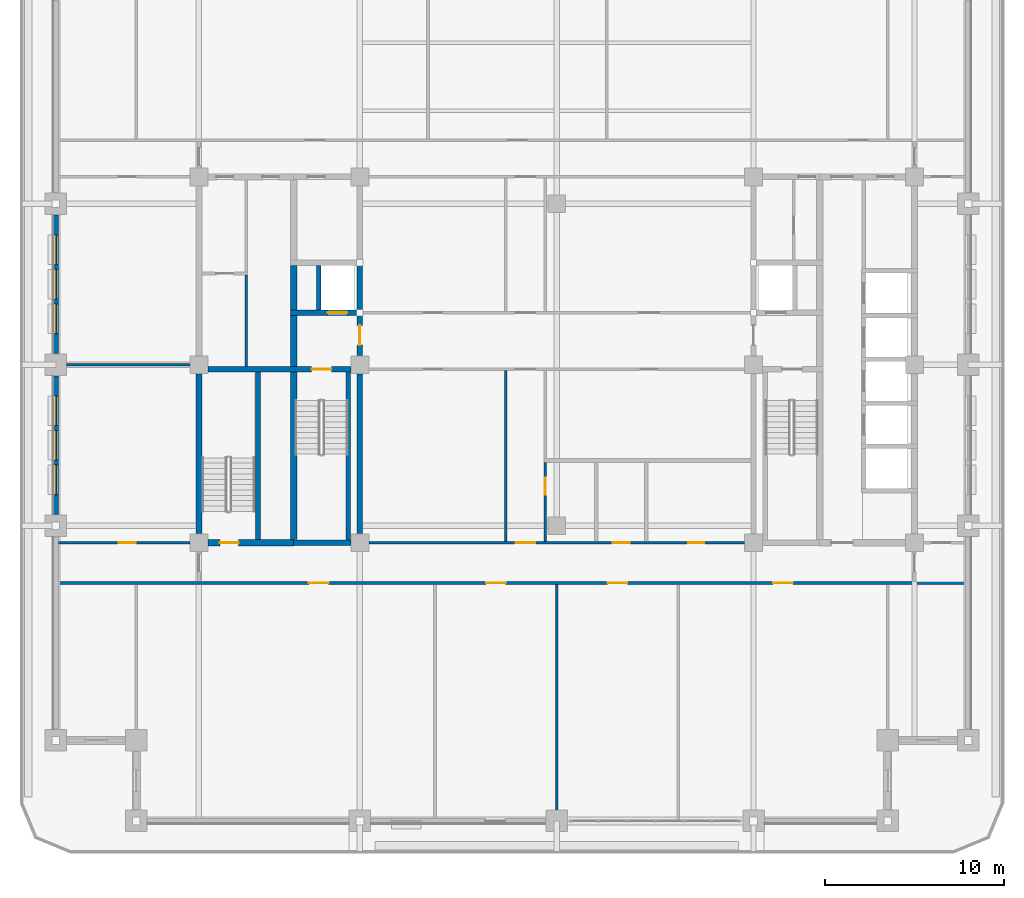
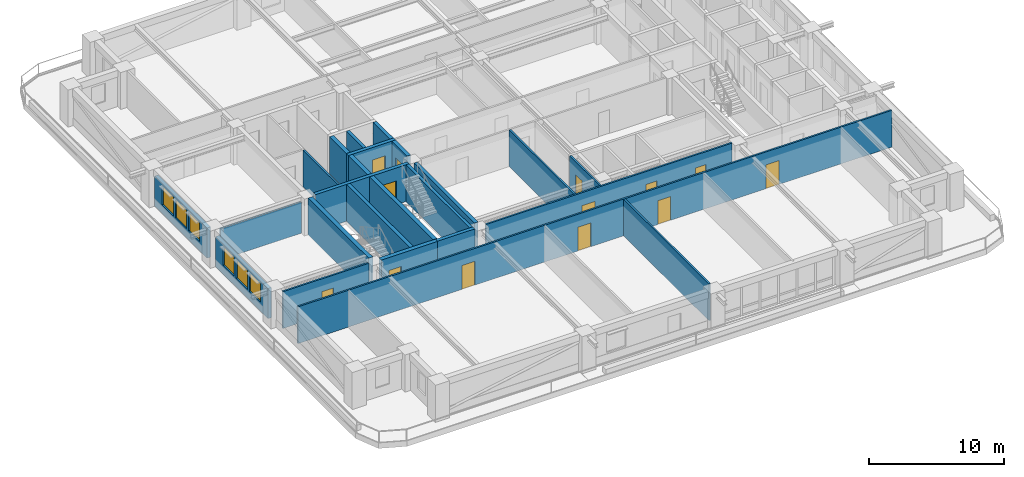
# One storey, part 8 of 20: 24 walls, 13 doors, 6 windows, 19 openings.
"""IFC4 building model written with IfcOpenShell, lengths in metres."""

from ifc_helpers import new_model, si_unit, direction, frame, frame_2d, origin, place, context, subcontext, project, spatial, rectangle, extrude, material, layer, layer_set, type_object, element, fill, save


model = new_model("IFC4")

# Units and contexts
model_context = context("Model", 3, precision=1e-05, world=origin(), true_north=direction((0.0, 1.0)))
body_context = subcontext(model_context, "Body", "Model", "MODEL_VIEW")
ifc_project = project(units=[si_unit("LENGTHUNIT", "METRE"), si_unit("AREAUNIT", "SQUARE_METRE"), si_unit("VOLUMEUNIT", "CUBIC_METRE"), si_unit("PLANEANGLEUNIT", "RADIAN"), si_unit("MASSUNIT", "GRAM", prefix="KILO")], contexts=[model_context])

# Site, building, storey
site_placement = place(None, origin())
site = spatial("IfcSite", under=ifc_project, at=site_placement, CompositionType="ELEMENT")
building_placement = place(site_placement, origin())
building = spatial("IfcBuilding", under=site, at=building_placement, Name="Zulmaris Gate Convention Tower", CompositionType="ELEMENT")
storey_placement = place(building_placement, frame((0.0, 0.0, 142.769775390625)))
storey = spatial("IfcBuildingStorey", under=building, at=storey_placement, Name="L36", CompositionType="ELEMENT", Elevation=142.769775390625)

# Walls
ifc_material_1 = material(Name="Concrete C50/60", Category="concrete")
ifc_layer_1 = layer(ifc_material_1, 0.25, Name="Concrete C50/60")
ifc_layer_set_1 = layer_set([ifc_layer_1], Name="Concrete C50/60")
wall_type_1 = type_object("IfcWallType", Name="CORE-250", PredefinedType="SOLIDWALL", material=ifc_layer_set_1)
wall_1_placement = place(storey_placement, frame((-13.300048828125, 3.052001953125, 0.0), z_axis=(0.0, 0.0, 1.0), x_axis=(0.0, 1.0, 0.0)))
element("IfcWall", 1, at=wall_1_placement, inside=storey, type_object=wall_type_1, Name="WL-L36-041", PredefinedType="SOLIDWALL", context=body_context, shape_type="SweptSolid", body=[
    extrude(rectangle(XDim=2.49609375, YDim=0.25, at=frame_2d((1.248046875, 0.0))), origin(), (0.0, 0.0, 1.0), 3.320068359375),
])
wall_2_placement = place(storey_placement, frame((-11.64990234375, -9.798095703125, 0.0), z_axis=(0.0, 0.0, 1.0), x_axis=(0.0, 1.0, 0.0)))
element("IfcWall", 2, at=wall_2_placement, inside=storey, type_object=wall_type_1, Name="WL-L36-042", PredefinedType="SOLIDWALL", context=body_context, shape_type="SweptSolid", body=[
    extrude(rectangle(XDim=9.39599609375, YDim=0.25, at=frame_2d((4.697998046875, 0.0))), origin(), (0.0, 0.0, 1.0), 3.320068359375),
])
ifc_layer_2 = layer(ifc_material_1, 0.300048828125, Name="Concrete C50/60")
ifc_layer_set_2 = layer_set([ifc_layer_2], Name="Concrete C50/60")
wall_type_2 = type_object("IfcWallType", Name="CORE-300", PredefinedType="SHEAR", material=ifc_layer_set_2)
wall_3_placement = place(storey_placement, frame((-14.699951171875, -9.949951171875, 0.0), z_axis=(0.0, 0.0, 1.0), x_axis=(1.0, 0.0, 0.0)))
element("IfcWall", 3, at=wall_3_placement, inside=storey, type_object=wall_type_2, Name="WL-L36-002", PredefinedType="SHEAR", context=body_context, shape_type="SweptSolid", body=[
    extrude(rectangle(XDim=3.196044921875, YDim=0.300048828125, at=frame_2d((1.59814453125, 0.0))), origin(), (0.0, 0.0, 1.0), 3.320068359375),
])

# Wall, opening, door
wall_4_placement = place(storey_placement, frame((-19.49609375, -0.25, 0.0), z_axis=(0.0, 0.0, 1.0), x_axis=(1.0, 0.0, 0.0)))
wall_4 = element("IfcWall", 4, at=wall_4_placement, inside=storey, type_object=wall_type_2, Name="WL-L36-008", PredefinedType="SHEAR", context=body_context, shape_type="SweptSolid", body=[
    extrude(rectangle(XDim=7.9921875, YDim=0.300048828125, at=frame_2d((3.99609375, 0.0))), origin(), (0.0, 0.0, 1.0), 3.320068359375),
])
opening_1_placement = place(wall_4_placement, frame((5.7958984375, 0.0, 0.0)))
opening_1 = element("IfcOpeningElement", 5, at=opening_1_placement, cuts=wall_4, Name="Opening D-08", PredefinedType="OPENING", context=body_context, shape_type="SweptSolid", body=[
    extrude(rectangle(XDim=1.10009765625, YDim=2.14990234375, at=frame_2d((0.550048828125, 1.074951171875))), frame((0.0, 0.16015625, 0.0), z_axis=(0.0, -1.0, 0.0), x_axis=(1.0, 0.0, 0.0)), (0.0, 0.0, 1.0), 0.320068359375),
])
ifc_material_2 = material(Name="Fire-Rated Steel", Category="steel")
door_type_1 = type_object("IfcDoorType", Name="DR-1100-FD", OperationType="NOTDEFINED", PredefinedType="DOOR", material=ifc_material_2)
door_1_placement = place(opening_1_placement, origin())
door_1 = element("IfcDoor", 6, at=door_1_placement, inside=storey, type_object=door_type_1, Name="L36 Exit Stair ST-1 Door 01", OperationType="SINGLE_SWING_LEFT", OverallHeight=2.14990234375, OverallWidth=1.10009765625, PredefinedType="DOOR", context=body_context, shape_type="SweptSolid", body=[
    extrude(rectangle(XDim=1.10009765625, YDim=2.14990234375, at=frame_2d((0.550048828125, 1.074951171875))), frame((0.0, 0.02490234375, 0.0), z_axis=(0.0, -1.0, 0.0), x_axis=(1.0, 0.0, 0.0)), (0.0, 0.0, 1.0), 0.050048828125),
])
fill(opening_1, door_1)

wall_5_placement = place(storey_placement, frame((-14.875, 2.89990234375, 0.0), z_axis=(0.0, 0.0, 1.0), x_axis=(1.0, 0.0, 0.0)))
wall_5 = element("IfcWall", 7, at=wall_5_placement, inside=storey, type_object=wall_type_2, Name="WL-L36-012", PredefinedType="SHEAR", context=body_context, shape_type="SweptSolid", body=[
    extrude(rectangle(XDim=4.02490234375, YDim=0.300048828125, at=frame_2d((2.012451171875, 0.0))), origin(), (0.0, 0.0, 1.0), 3.320068359375),
])
opening_2_placement = place(wall_5_placement, frame((2.074951171875, 0.0, 0.0)))
opening_2 = element("IfcOpeningElement", 8, at=opening_2_placement, cuts=wall_5, Name="Opening D-06", PredefinedType="OPENING", context=body_context, shape_type="SweptSolid", body=[
    extrude(rectangle(XDim=1.10009765625, YDim=2.199951171875, at=frame_2d((0.550048828125, 1.10009765625))), frame((0.0, 0.16015625, 0.0), z_axis=(0.0, -1.0, 0.0), x_axis=(1.0, 0.0, 0.0)), (0.0, 0.0, 1.0), 0.320068359375),
])
ifc_material_3 = material(Name="Brushed Stainless Steel", Category="steel")
door_type_2 = type_object("IfcDoorType", Name="LD-1100", OperationType="NOTDEFINED", PredefinedType="DOOR", material=ifc_material_3)
door_2_placement = place(opening_2_placement, origin())
door_2 = element("IfcDoor", 9, at=door_2_placement, inside=storey, type_object=door_type_2, Name="L36 Lift Landing Door LF-01 03", OperationType="SLIDING_TO_LEFT", OverallHeight=2.199951171875, OverallWidth=1.10009765625, PredefinedType="DOOR", context=body_context, shape_type="SweptSolid", body=[
    extrude(rectangle(XDim=1.10009765625, YDim=2.199951171875, at=frame_2d((0.550048828125, 1.10009765625))), frame((0.0, 0.02490234375, 0.0), z_axis=(0.0, -1.0, 0.0), x_axis=(1.0, 0.0, 0.0)), (0.0, 0.0, 1.0), 0.050048828125),
])
fill(opening_2, door_2)

# Walls
wall_6_placement = place(storey_placement, frame((-16.699951171875, -9.77294921875, 0.0), z_axis=(0.0, 0.0, 1.0), x_axis=(0.0, 1.0, 0.0)))
element("IfcWall", 10, at=wall_6_placement, inside=storey, type_object=wall_type_2, Name="WL-L36-036", PredefinedType="SHEAR", context=body_context, shape_type="SweptSolid", body=[
    extrude(rectangle(XDim=9.370849609375, YDim=0.300048828125, at=frame_2d((4.685546875, 0.0))), origin(), (0.0, 0.0, 1.0), 3.320068359375),
])
wall_7_placement = place(storey_placement, frame((-11.0, -9.446044921875, 0.0), z_axis=(0.0, 0.0, 1.0), x_axis=(0.0, 1.0, 0.0)))
element("IfcWall", 11, at=wall_7_placement, inside=storey, type_object=wall_type_2, Name="WL-L36-043", PredefinedType="SHEAR", context=body_context, shape_type="SweptSolid", body=[
    extrude(rectangle(XDim=8.942138671875, YDim=0.300048828125, at=frame_2d((4.47119140625, 0.0))), origin(), (0.0, 0.0, 1.0), 3.320068359375),
])

# Wall, opening, door
wall_8_placement = place(storey_placement, frame((-11.0, 0.50390625, 0.0), z_axis=(0.0, 0.0, 1.0), x_axis=(0.0, 1.0, 0.0)))
wall_8 = element("IfcWall", 12, at=wall_8_placement, inside=storey, type_object=wall_type_2, Name="WL-L36-044", PredefinedType="SHEAR", context=body_context, shape_type="SweptSolid", body=[
    extrude(rectangle(XDim=2.244140625, YDim=0.300048828125, at=frame_2d((1.1220703125, 0.0))), origin(), (0.0, 0.0, 1.0), 3.320068359375),
])
opening_3_placement = place(wall_8_placement, frame((0.595947265625, 0.0, 0.0)))
opening_3 = element("IfcOpeningElement", 13, at=opening_3_placement, cuts=wall_8, Name="Opening D-08", PredefinedType="OPENING", context=body_context, shape_type="SweptSolid", body=[
    extrude(rectangle(XDim=1.10009765625, YDim=2.14990234375, at=frame_2d((0.550048828125, 1.074951171875))), frame((0.0, 0.16015625, 0.0), z_axis=(0.0, -1.0, 0.0), x_axis=(1.0, 0.0, 0.0)), (0.0, 0.0, 1.0), 0.320068359375),
])
door_3_placement = place(opening_3_placement, origin())
door_3 = element("IfcDoor", 14, at=door_3_placement, inside=storey, type_object=door_type_1, Name="L36 West Firefighting Lobby Door 02", OperationType="SINGLE_SWING_RIGHT", OverallHeight=2.14990234375, OverallWidth=1.10009765625, PredefinedType="DOOR", context=body_context, shape_type="SweptSolid", body=[
    extrude(rectangle(XDim=1.10009765625, YDim=2.14990234375, at=frame_2d((0.550048828125, 1.074951171875))), frame((0.0, 0.02490234375, 0.0), z_axis=(0.0, -1.0, 0.0), x_axis=(1.0, 0.0, 0.0)), (0.0, 0.0, 1.0), 0.050048828125),
])
fill(opening_3, door_3)

# Wall
wall_9_placement = place(storey_placement, frame((-11.0, 3.052001953125, 0.0), z_axis=(0.0, 0.0, 1.0), x_axis=(0.0, 1.0, 0.0)))
element("IfcWall", 15, at=wall_9_placement, inside=storey, type_object=wall_type_2, Name="WL-L36-045", PredefinedType="SHEAR", context=body_context, shape_type="SweptSolid", body=[
    extrude(rectangle(XDim=2.49609375, YDim=0.300048828125, at=frame_2d((1.248046875, 0.0))), origin(), (0.0, 0.0, 1.0), 3.320068359375),
])

# Wall, opening, door
ifc_material_4 = material(Name="Concrete C55/67", Category="concrete")
ifc_layer_3 = layer(ifc_material_4, 0.35009765625, Name="Concrete C55/67")
ifc_layer_set_3 = layer_set([ifc_layer_3], Name="Concrete C55/67")
wall_type_3 = type_object("IfcWallType", Name="CORE-350", PredefinedType="SHEAR", material=ifc_layer_set_3)
wall_10_placement = place(storey_placement, frame((-19.49609375, -9.949951171875, 0.0), z_axis=(0.0, 0.0, 1.0), x_axis=(1.0, 0.0, 0.0)))
wall_10 = element("IfcWall", 16, at=wall_10_placement, inside=storey, type_object=wall_type_3, Name="WL-L36-001", PredefinedType="SHEAR", context=body_context, shape_type="SweptSolid", body=[
    extrude(rectangle(XDim=4.796142578125, YDim=0.35009765625, at=frame_2d((2.39794921875, 0.0))), origin(), (0.0, 0.0, 1.0), 3.320068359375),
])
opening_4_placement = place(wall_10_placement, frame((0.6708984375, 0.0, 0.0)))
opening_4 = element("IfcOpeningElement", 17, at=opening_4_placement, cuts=wall_10, Name="Opening D-09", PredefinedType="OPENING", context=body_context, shape_type="SweptSolid", body=[
    extrude(rectangle(XDim=1.050048828125, YDim=2.14990234375, at=frame_2d((0.52490234375, 1.074951171875))), frame((0.0, 0.18505859375, 0.0), z_axis=(0.0, -1.0, 0.0), x_axis=(1.0, 0.0, 0.0)), (0.0, 0.0, 1.0), 0.3701171875),
])
door_type_3 = type_object("IfcDoorType", Name="DR-1050-FD", OperationType="NOTDEFINED", PredefinedType="DOOR", material=ifc_material_2)
door_4_placement = place(opening_4_placement, origin())
door_4 = element("IfcDoor", 18, at=door_4_placement, inside=storey, type_object=door_type_3, Name="L36 Exit Stair ST-3 Door 10", OperationType="SINGLE_SWING_RIGHT", OverallHeight=2.14990234375, OverallWidth=1.050048828125, PredefinedType="DOOR", context=body_context, shape_type="SweptSolid", body=[
    extrude(rectangle(XDim=1.050048828125, YDim=2.14990234375, at=frame_2d((0.52490234375, 1.074951171875))), frame((0.0, 0.02490234375, 0.0), z_axis=(0.0, -1.0, 0.0), x_axis=(1.0, 0.0, 0.0)), (0.0, 0.0, 1.0), 0.050048828125),
])
fill(opening_4, door_4)

# Walls
wall_11_placement = place(storey_placement, frame((-20.0, -9.446044921875, 0.0), z_axis=(0.0, 0.0, 1.0), x_axis=(0.0, 1.0, 0.0)))
element("IfcWall", 19, at=wall_11_placement, inside=storey, type_object=wall_type_3, Name="WL-L36-034", PredefinedType="SHEAR", context=body_context, shape_type="SweptSolid", body=[
    extrude(rectangle(XDim=8.942138671875, YDim=0.35009765625, at=frame_2d((4.47119140625, 0.0))), origin(), (0.0, 0.0, 1.0), 3.320068359375),
])
wall_12_placement = place(storey_placement, frame((-14.699951171875, -9.77294921875, 0.0), z_axis=(0.0, 0.0, 1.0), x_axis=(0.0, 1.0, 0.0)))
element("IfcWall", 20, at=wall_12_placement, inside=storey, type_object=wall_type_3, Name="WL-L36-037", PredefinedType="SHEAR", context=body_context, shape_type="SweptSolid", body=[
    extrude(rectangle(XDim=9.370849609375, YDim=0.35009765625, at=frame_2d((4.685546875, 0.0))), origin(), (0.0, 0.0, 1.0), 3.320068359375),
])
wall_13_placement = place(storey_placement, frame((-14.699951171875, -0.097900390625, 0.0), z_axis=(0.0, 0.0, 1.0), x_axis=(0.0, 1.0, 0.0)))
element("IfcWall", 21, at=wall_13_placement, inside=storey, type_object=wall_type_3, Name="WL-L36-038", PredefinedType="SHEAR", context=body_context, shape_type="SweptSolid", body=[
    extrude(rectangle(XDim=2.845947265625, YDim=0.35009765625, at=frame_2d((1.4228515625, 0.0))), origin(), (0.0, 0.0, 1.0), 3.320068359375),
])
wall_14_placement = place(storey_placement, frame((-14.699951171875, 3.052001953125, 0.0), z_axis=(0.0, 0.0, 1.0), x_axis=(0.0, 1.0, 0.0)))
element("IfcWall", 22, at=wall_14_placement, inside=storey, type_object=wall_type_3, Name="WL-L36-039", PredefinedType="SHEAR", context=body_context, shape_type="SweptSolid", body=[
    extrude(rectangle(XDim=2.49609375, YDim=0.35009765625, at=frame_2d((1.248046875, 0.0))), origin(), (0.0, 0.0, 1.0), 3.320068359375),
])

# Wall, openings, doors
ifc_material_5 = material(Name="Gypsum Metal Stud Partition")
ifc_layer_4 = layer(ifc_material_5, 0.14990234375, Name="Gypsum Metal Stud Partition")
ifc_layer_set_4 = layer_set([ifc_layer_4], Name="Gypsum Metal Stud Partition")
wall_type_4 = type_object("IfcWallType", Name="PART-150", PredefinedType="PARTITIONING", material=ifc_layer_set_4)
wall_15_placement = place(storey_placement, frame((-27.8349609375, -12.199951171875, 0.0), z_axis=(0.0, 0.0, 1.0), x_axis=(1.0, 0.0, 0.0)))
wall_15 = element("IfcWall", 23, at=wall_15_placement, inside=storey, type_object=wall_type_4, Name="WL-L36-021", PredefinedType="PARTITIONING", context=body_context, shape_type="SweptSolid", body=[
    extrude(rectangle(XDim=50.669921875, YDim=0.14990234375, at=frame_2d((25.3349609375, 0.0))), origin(), (0.0, 0.0, 1.0), 3.320068359375),
])
opening_5_placement = place(wall_15_placement, frame((13.985107421875, 0.0, 0.0)))
opening_5 = element("IfcOpeningElement", 24, at=opening_5_placement, cuts=wall_15, Name="Opening D-08", PredefinedType="OPENING", context=body_context, shape_type="SweptSolid", body=[
    extrude(rectangle(XDim=1.10009765625, YDim=2.14990234375, at=frame_2d((0.550048828125, 1.074951171875))), frame((0.0, 0.0849609375, 0.0), z_axis=(0.0, -1.0, 0.0), x_axis=(1.0, 0.0, 0.0)), (0.0, 0.0, 1.0), 0.169921875),
])
opening_6_placement = place(wall_15_placement, frame((23.885009765625, 0.0, 0.0)))
opening_6 = element("IfcOpeningElement", 25, at=opening_6_placement, cuts=wall_15, Name="Opening D-08", PredefinedType="OPENING", context=body_context, shape_type="SweptSolid", body=[
    extrude(rectangle(XDim=1.10009765625, YDim=2.14990234375, at=frame_2d((0.550048828125, 1.074951171875))), frame((0.0, 0.0849609375, 0.0), z_axis=(0.0, -1.0, 0.0), x_axis=(1.0, 0.0, 0.0)), (0.0, 0.0, 1.0), 0.169921875),
])
opening_7_placement = place(wall_15_placement, frame((30.68505859375, 0.0, 0.0)))
opening_7 = element("IfcOpeningElement", 26, at=opening_7_placement, cuts=wall_15, Name="Opening D-08", PredefinedType="OPENING", context=body_context, shape_type="SweptSolid", body=[
    extrude(rectangle(XDim=1.10009765625, YDim=2.14990234375, at=frame_2d((0.550048828125, 1.074951171875))), frame((0.0, 0.0849609375, 0.0), z_axis=(0.0, -1.0, 0.0), x_axis=(1.0, 0.0, 0.0)), (0.0, 0.0, 1.0), 0.169921875),
])
opening_8_placement = place(wall_15_placement, frame((39.93505859375, 0.0, 0.0)))
opening_8 = element("IfcOpeningElement", 27, at=opening_8_placement, cuts=wall_15, Name="Opening D-08", PredefinedType="OPENING", context=body_context, shape_type="SweptSolid", body=[
    extrude(rectangle(XDim=1.10009765625, YDim=2.14990234375, at=frame_2d((0.550048828125, 1.074951171875))), frame((0.0, 0.0849609375, 0.0), z_axis=(0.0, -1.0, 0.0), x_axis=(1.0, 0.0, 0.0)), (0.0, 0.0, 1.0), 0.169921875),
])
door_5_placement = place(opening_5_placement, origin())
door_5 = element("IfcDoor", 28, at=door_5_placement, inside=storey, type_object=door_type_1, Name="L36 West Sky-Garden Workplace Studio Door 28", OperationType="SINGLE_SWING_RIGHT", OverallHeight=2.14990234375, OverallWidth=1.10009765625, PredefinedType="DOOR", context=body_context, shape_type="SweptSolid", body=[
    extrude(rectangle(XDim=1.10009765625, YDim=2.14990234375, at=frame_2d((0.550048828125, 1.074951171875))), frame((0.0, 0.02490234375, 0.0), z_axis=(0.0, -1.0, 0.0), x_axis=(1.0, 0.0, 0.0)), (0.0, 0.0, 1.0), 0.050048828125),
])
fill(opening_5, door_5)
door_6_placement = place(opening_6_placement, origin())
door_6 = element("IfcDoor", 29, at=door_6_placement, inside=storey, type_object=door_type_1, Name="L36 Sky-Garden West Conservatory Door 29", OperationType="SINGLE_SWING_LEFT", OverallHeight=2.14990234375, OverallWidth=1.10009765625, PredefinedType="DOOR", context=body_context, shape_type="SweptSolid", body=[
    extrude(rectangle(XDim=1.10009765625, YDim=2.14990234375, at=frame_2d((0.550048828125, 1.074951171875))), frame((0.0, 0.02490234375, 0.0), z_axis=(0.0, -1.0, 0.0), x_axis=(1.0, 0.0, 0.0)), (0.0, 0.0, 1.0), 0.050048828125),
])
fill(opening_6, door_6)
door_7_placement = place(opening_7_placement, origin())
door_7 = element("IfcDoor", 30, at=door_7_placement, inside=storey, type_object=door_type_1, Name="L36 Sky-Garden Botanical Lounge Door 30", OperationType="SINGLE_SWING_RIGHT", OverallHeight=2.14990234375, OverallWidth=1.10009765625, PredefinedType="DOOR", context=body_context, shape_type="SweptSolid", body=[
    extrude(rectangle(XDim=1.10009765625, YDim=2.14990234375, at=frame_2d((0.550048828125, 1.074951171875))), frame((0.0, 0.02490234375, 0.0), z_axis=(0.0, -1.0, 0.0), x_axis=(1.0, 0.0, 0.0)), (0.0, 0.0, 1.0), 0.050048828125),
])
fill(opening_7, door_7)
door_8_placement = place(opening_8_placement, origin())
door_8 = element("IfcDoor", 31, at=door_8_placement, inside=storey, type_object=door_type_1, Name="L36 East Botanical Reading Pantry Door 31", OperationType="SINGLE_SWING_LEFT", OverallHeight=2.14990234375, OverallWidth=1.10009765625, PredefinedType="DOOR", context=body_context, shape_type="SweptSolid", body=[
    extrude(rectangle(XDim=1.10009765625, YDim=2.14990234375, at=frame_2d((0.550048828125, 1.074951171875))), frame((0.0, 0.02490234375, 0.0), z_axis=(0.0, -1.0, 0.0), x_axis=(1.0, 0.0, 0.0)), (0.0, 0.0, 1.0), 0.050048828125),
])
fill(opening_8, door_8)

# Wall, opening, door
wall_16_placement = place(storey_placement, frame((-27.8349609375, -9.949951171875, 0.0), z_axis=(0.0, 0.0, 1.0), x_axis=(1.0, 0.0, 0.0)))
wall_16 = element("IfcWall", 32, at=wall_16_placement, inside=storey, type_object=wall_type_4, Name="WL-L36-022", PredefinedType="PARTITIONING", context=body_context, shape_type="SweptSolid", body=[
    extrude(rectangle(XDim=7.328857421875, YDim=0.14990234375, at=frame_2d((3.66455078125, 0.0))), origin(), (0.0, 0.0, 1.0), 3.320068359375),
])
opening_9_placement = place(wall_16_placement, frame((3.360107421875, 0.0, 0.0)))
opening_9 = element("IfcOpeningElement", 33, at=opening_9_placement, cuts=wall_16, Name="Opening D-11", PredefinedType="OPENING", context=body_context, shape_type="SweptSolid", body=[
    extrude(rectangle(XDim=0.949951171875, YDim=2.14990234375, at=frame_2d((0.47509765625, 1.074951171875))), frame((0.0, 0.0849609375, 0.0), z_axis=(0.0, -1.0, 0.0), x_axis=(1.0, 0.0, 0.0)), (0.0, 0.0, 1.0), 0.169921875),
])
ifc_material_6 = material(Name="Fire-Rated Timber", Category="wood")
door_type_4 = type_object("IfcDoorType", Name="DR-950-FD", OperationType="NOTDEFINED", PredefinedType="DOOR", material=ifc_material_6)
door_9_placement = place(opening_9_placement, origin())
door_9 = element("IfcDoor", 34, at=door_9_placement, inside=storey, type_object=door_type_4, Name="L36 SW Partner Door 42", OperationType="SINGLE_SWING_RIGHT", OverallHeight=2.14990234375, OverallWidth=0.949951171875, PredefinedType="DOOR", context=body_context, shape_type="SweptSolid", body=[
    extrude(rectangle(XDim=0.949951171875, YDim=2.14990234375, at=frame_2d((0.47509765625, 1.074951171875))), frame((0.0, 0.02490234375, 0.0), z_axis=(0.0, -1.0, 0.0), x_axis=(1.0, 0.0, 0.0)), (0.0, 0.0, 1.0), 0.050048828125),
])
fill(opening_9, door_9)

# Wall, openings, doors
wall_17_placement = place(storey_placement, frame((-10.493896484375, -9.949951171875, 0.0), z_axis=(0.0, 0.0, 1.0), x_axis=(1.0, 0.0, 0.0)))
wall_17 = element("IfcWall", 35, at=wall_17_placement, inside=storey, type_object=wall_type_4, Name="WL-L36-023", PredefinedType="PARTITIONING", context=body_context, shape_type="SweptSolid", body=[
    extrude(rectangle(XDim=20.98779296875, YDim=0.14990234375, at=frame_2d((10.493896484375, 0.0))), origin(), (0.0, 0.0, 1.0), 3.320068359375),
])
opening_10_placement = place(wall_17_placement, frame((8.194091796875, 0.0, 0.0)))
opening_10 = element("IfcOpeningElement", 36, at=opening_10_placement, cuts=wall_17, Name="Opening D-08", PredefinedType="OPENING", context=body_context, shape_type="SweptSolid", body=[
    extrude(rectangle(XDim=1.10009765625, YDim=2.14990234375, at=frame_2d((0.550048828125, 1.074951171875))), frame((0.0, 0.0849609375, 0.0), z_axis=(0.0, -1.0, 0.0), x_axis=(1.0, 0.0, 0.0)), (0.0, 0.0, 1.0), 0.169921875),
])
opening_11_placement = place(wall_17_placement, frame((13.618896484375, 0.0, 0.0)))
opening_11 = element("IfcOpeningElement", 37, at=opening_11_placement, cuts=wall_17, Name="Opening D-11", PredefinedType="OPENING", context=body_context, shape_type="SweptSolid", body=[
    extrude(rectangle(XDim=0.949951171875, YDim=2.14990234375, at=frame_2d((0.47509765625, 1.074951171875))), frame((0.0, 0.0849609375, 0.0), z_axis=(0.0, -1.0, 0.0), x_axis=(1.0, 0.0, 0.0)), (0.0, 0.0, 1.0), 0.169921875),
])
opening_12_placement = place(wall_17_placement, frame((17.843994140625, 0.0, 0.0)))
opening_12 = element("IfcOpeningElement", 38, at=opening_12_placement, cuts=wall_17, Name="Opening D-12", PredefinedType="OPENING", context=body_context, shape_type="SweptSolid", body=[
    extrude(rectangle(XDim=0.89990234375, YDim=2.14990234375, at=frame_2d((0.449951171875, 1.074951171875))), frame((0.0, 0.0849609375, 0.0), z_axis=(0.0, -1.0, 0.0), x_axis=(1.0, 0.0, 0.0)), (0.0, 0.0, 1.0), 0.169921875),
])
door_10_placement = place(opening_10_placement, origin())
door_10 = element("IfcDoor", 39, at=door_10_placement, inside=storey, type_object=door_type_1, Name="L36 South Gallery Link Door 22", OperationType="SINGLE_SWING_RIGHT", OverallHeight=2.14990234375, OverallWidth=1.10009765625, PredefinedType="DOOR", context=body_context, shape_type="SweptSolid", body=[
    extrude(rectangle(XDim=1.10009765625, YDim=2.14990234375, at=frame_2d((0.550048828125, 1.074951171875))), frame((0.0, 0.02490234375, 0.0), z_axis=(0.0, -1.0, 0.0), x_axis=(1.0, 0.0, 0.0)), (0.0, 0.0, 1.0), 0.050048828125),
])
fill(opening_10, door_10)
door_type_5 = type_object("IfcDoorType", Name="DR-900-FD", OperationType="NOTDEFINED", PredefinedType="DOOR", material=ifc_material_6)
door_11_placement = place(opening_12_placement, origin())
door_11 = element("IfcDoor", 40, at=door_11_placement, inside=storey, type_object=door_type_5, Name="L36 Reprographics Office Door 38", OperationType="SINGLE_SWING_RIGHT", OverallHeight=2.14990234375, OverallWidth=0.89990234375, PredefinedType="DOOR", context=body_context, shape_type="SweptSolid", body=[
    extrude(rectangle(XDim=0.89990234375, YDim=2.14990234375, at=frame_2d((0.449951171875, 1.074951171875))), frame((0.0, 0.02490234375, 0.0), z_axis=(0.0, -1.0, 0.0), x_axis=(1.0, 0.0, 0.0)), (0.0, 0.0, 1.0), 0.050048828125),
])
fill(opening_12, door_11)
door_12_placement = place(opening_11_placement, origin())
door_12 = element("IfcDoor", 41, at=door_12_placement, inside=storey, type_object=door_type_4, Name="L36 Accessible WC Door 37", OperationType="SINGLE_SWING_LEFT", OverallHeight=2.14990234375, OverallWidth=0.949951171875, PredefinedType="DOOR", context=body_context, shape_type="SweptSolid", body=[
    extrude(rectangle(XDim=0.949951171875, YDim=2.14990234375, at=frame_2d((0.47509765625, 1.074951171875))), frame((0.0, 0.02490234375, 0.0), z_axis=(0.0, -1.0, 0.0), x_axis=(1.0, 0.0, 0.0)), (0.0, 0.0, 1.0), 0.050048828125),
])
fill(opening_11, door_12)

# Walls
wall_18_placement = place(storey_placement, frame((-27.39404296875, 0.0, 0.0), z_axis=(0.0, 0.0, 1.0), x_axis=(1.0, 0.0, 0.0)))
element("IfcWall", 42, at=wall_18_placement, inside=storey, type_object=wall_type_4, Name="WL-L36-027", PredefinedType="PARTITIONING", context=body_context, shape_type="SweptSolid", body=[
    extrude(rectangle(XDim=6.887939453125, YDim=0.14990234375, at=frame_2d((3.44384765625, 0.0))), origin(), (0.0, 0.0, 1.0), 2.81005859375),
])
wall_19_placement = place(storey_placement, frame((-17.35009765625, -0.096923828125, 0.0), z_axis=(0.0, 0.0, 1.0), x_axis=(0.0, 1.0, 0.0)))
element("IfcWall", 43, at=wall_19_placement, inside=storey, type_object=wall_type_4, Name="WL-L36-073", PredefinedType="PARTITIONING", context=body_context, shape_type="SweptSolid", body=[
    extrude(rectangle(XDim=5.118896484375, YDim=0.14990234375, at=frame_2d((2.5595703125, 0.0))), origin(), (0.0, 0.0, 1.0), 3.320068359375),
])
wall_20_placement = place(storey_placement, frame((-2.85009765625, -9.8720703125, 0.0), z_axis=(0.0, 0.0, 1.0), x_axis=(0.0, 1.0, 0.0)))
element("IfcWall", 44, at=wall_20_placement, inside=storey, type_object=wall_type_4, Name="WL-L36-077", PredefinedType="PARTITIONING", context=body_context, shape_type="SweptSolid", body=[
    extrude(rectangle(XDim=9.544189453125, YDim=0.14990234375, at=frame_2d((4.77197265625, 0.0))), origin(), (0.0, 0.0, 1.0), 3.320068359375),
])

# Wall, opening, door
wall_21_placement = place(storey_placement, frame((-0.64990234375, -9.8720703125, 0.0), z_axis=(0.0, 0.0, 1.0), x_axis=(0.0, 1.0, 0.0)))
wall_21 = element("IfcWall", 45, at=wall_21_placement, inside=storey, type_object=wall_type_4, Name="WL-L36-079", PredefinedType="PARTITIONING", context=body_context, shape_type="SweptSolid", body=[
    extrude(rectangle(XDim=4.419189453125, YDim=0.14990234375, at=frame_2d((2.20947265625, 0.0))), origin(), (0.0, 0.0, 1.0), 3.320068359375),
])
opening_13_placement = place(wall_21_placement, frame((2.596923828125, 0.0, 0.0)))
opening_13 = element("IfcOpeningElement", 46, at=opening_13_placement, cuts=wall_21, Name="Opening D-11", PredefinedType="OPENING", context=body_context, shape_type="SweptSolid", body=[
    extrude(rectangle(XDim=0.949951171875, YDim=2.14990234375, at=frame_2d((0.47509765625, 1.074951171875))), frame((0.0, 0.0849609375, 0.0), z_axis=(0.0, -1.0, 0.0), x_axis=(1.0, 0.0, 0.0)), (0.0, 0.0, 1.0), 0.169921875),
])
door_13_placement = place(opening_13_placement, origin())
door_13 = element("IfcDoor", 47, at=door_13_placement, inside=storey, type_object=door_type_4, Name="L36 Hygiene Supply Door 36", OperationType="SINGLE_SWING_RIGHT", OverallHeight=2.14990234375, OverallWidth=0.949951171875, PredefinedType="DOOR", context=body_context, shape_type="SweptSolid", body=[
    extrude(rectangle(XDim=0.949951171875, YDim=2.14990234375, at=frame_2d((0.47509765625, 1.074951171875))), frame((0.0, 0.02490234375, 0.0), z_axis=(0.0, -1.0, 0.0), x_axis=(1.0, 0.0, 0.0)), (0.0, 0.0, 1.0), 0.050048828125),
])
fill(opening_13, door_13)

# Wall
wall_22_placement = place(storey_placement, frame((0.0, -24.89404296875, 0.0), z_axis=(0.0, 0.0, 1.0), x_axis=(0.0, 1.0, 0.0)))
element("IfcWall", 48, at=wall_22_placement, inside=storey, type_object=wall_type_4, Name="WL-L36-082", PredefinedType="PARTITIONING", context=body_context, shape_type="SweptSolid", body=[
    extrude(rectangle(XDim=12.615966796875, YDim=0.14990234375, at=frame_2d((6.30810546875, 0.0))), origin(), (0.0, 0.0, 1.0), 3.320068359375),
])

# Wall, openings, windows
ifc_material_7 = material(Name="Precast concrete C40/50", Category="concrete")
ifc_layer_5 = layer(ifc_material_7, 0.300048828125, Name="Precast concrete C40/50")
ifc_layer_set_5 = layer_set([ifc_layer_5], Name="Precast concrete C40/50")
wall_type_5 = type_object("IfcWallType", Name="PRECAST-PIER-300", PredefinedType="STANDARD", material=ifc_layer_set_5)
wall_23_placement = place(storey_placement, frame((-28.0, -0.6298828125, 0.0), z_axis=(0.0, 0.0, 1.0), x_axis=(0.0, -1.0, 0.0)))
wall_23 = element("IfcWall", 49, at=wall_23_placement, inside=storey, type_object=wall_type_5, Name="EW-L36-W-1_0", PredefinedType="STANDARD", context=body_context, shape_type="SweptSolid", body=[
    extrude(rectangle(XDim=7.740234375, YDim=0.300048828125, at=frame_2d((3.8701171875, 0.0))), origin(), (0.0, 0.0, 1.0), 2.7119140625),
])
opening_14_placement = place(wall_23_placement, frame((1.110107421875, 0.0, 0.800048828125)))
opening_14 = element("IfcOpeningElement", 50, at=opening_14_placement, cuts=wall_23, Name="Opening W-08", PredefinedType="OPENING", context=body_context, shape_type="SweptSolid", body=[
    extrude(rectangle(XDim=1.64990234375, YDim=1.699951171875, at=frame_2d((0.824951171875, 0.85009765625))), frame((0.0, 0.16015625, 0.0), z_axis=(0.0, -1.0, 0.0), x_axis=(1.0, 0.0, 0.0)), (0.0, 0.0, 1.0), 0.320068359375),
])
opening_15_placement = place(wall_23_placement, frame((3.044921875, 0.0, 0.800048828125)))
opening_15 = element("IfcOpeningElement", 51, at=opening_15_placement, cuts=wall_23, Name="Opening W-08", PredefinedType="OPENING", context=body_context, shape_type="SweptSolid", body=[
    extrude(rectangle(XDim=1.64990234375, YDim=1.699951171875, at=frame_2d((0.824951171875, 0.85009765625))), frame((0.0, 0.16015625, 0.0), z_axis=(0.0, -1.0, 0.0), x_axis=(1.0, 0.0, 0.0)), (0.0, 0.0, 1.0), 0.320068359375),
])
opening_16_placement = place(wall_23_placement, frame((4.97998046875, 0.0, 0.800048828125)))
opening_16 = element("IfcOpeningElement", 52, at=opening_16_placement, cuts=wall_23, Name="Opening W-08", PredefinedType="OPENING", context=body_context, shape_type="SweptSolid", body=[
    extrude(rectangle(XDim=1.64990234375, YDim=1.699951171875, at=frame_2d((0.824951171875, 0.85009765625))), frame((0.0, 0.16015625, 0.0), z_axis=(0.0, -1.0, 0.0), x_axis=(1.0, 0.0, 0.0)), (0.0, 0.0, 1.0), 0.320068359375),
])
ifc_material_8 = material(Name="Low-E Laminated Double Glazing in Aluminium Frame", Category="aluminium")
window_type = type_object("IfcWindowType", Name="WIN-1650x2150", PartitioningType="SINGLE_PANEL", PredefinedType="WINDOW", material=ifc_material_8)
window_1_placement = place(opening_14_placement, origin())
window_1 = element("IfcWindow", 53, at=window_1_placement, inside=storey, type_object=window_type, Name="WN-EW-L36-W-1_0-1", OverallHeight=1.699951171875, OverallWidth=1.64990234375, PartitioningType="SINGLE_PANEL", PredefinedType="WINDOW", context=body_context, shape_type="SweptSolid", body=[
    extrude(rectangle(XDim=1.64990234375, YDim=1.699951171875, at=frame_2d((0.824951171875, 0.85009765625))), frame((0.0, 0.030029296875, 0.0), z_axis=(0.0, -1.0, 0.0), x_axis=(1.0, 0.0, 0.0)), (0.0, 0.0, 1.0), 0.06005859375),
])
fill(opening_14, window_1)
window_2_placement = place(opening_15_placement, origin())
window_2 = element("IfcWindow", 54, at=window_2_placement, inside=storey, type_object=window_type, Name="WN-EW-L36-W-1_0-2", OverallHeight=1.699951171875, OverallWidth=1.64990234375, PartitioningType="SINGLE_PANEL", PredefinedType="WINDOW", context=body_context, shape_type="SweptSolid", body=[
    extrude(rectangle(XDim=1.64990234375, YDim=1.699951171875, at=frame_2d((0.824951171875, 0.85009765625))), frame((0.0, 0.030029296875, 0.0), z_axis=(0.0, -1.0, 0.0), x_axis=(1.0, 0.0, 0.0)), (0.0, 0.0, 1.0), 0.06005859375),
])
fill(opening_15, window_2)
window_3_placement = place(opening_16_placement, origin())
window_3 = element("IfcWindow", 55, at=window_3_placement, inside=storey, type_object=window_type, Name="WN-EW-L36-W-1_0-3", OverallHeight=1.699951171875, OverallWidth=1.64990234375, PartitioningType="SINGLE_PANEL", PredefinedType="WINDOW", context=body_context, shape_type="SweptSolid", body=[
    extrude(rectangle(XDim=1.64990234375, YDim=1.699951171875, at=frame_2d((0.824951171875, 0.85009765625))), frame((0.0, 0.030029296875, 0.0), z_axis=(0.0, -1.0, 0.0), x_axis=(1.0, 0.0, 0.0)), (0.0, 0.0, 1.0), 0.06005859375),
])
fill(opening_16, window_3)

wall_24_placement = place(storey_placement, frame((-28.0, 8.3701171875, 0.0), z_axis=(0.0, 0.0, 1.0), x_axis=(0.0, -1.0, 0.0)))
wall_24 = element("IfcWall", 56, at=wall_24_placement, inside=storey, type_object=wall_type_5, Name="EW-L36-W-2_0", PredefinedType="STANDARD", context=body_context, shape_type="SweptSolid", body=[
    extrude(rectangle(XDim=7.740234375, YDim=0.300048828125, at=frame_2d((3.8701171875, 0.0))), origin(), (0.0, 0.0, 1.0), 2.7119140625),
])
opening_17_placement = place(wall_24_placement, frame((1.110107421875, 0.0, 0.800048828125)))
opening_17 = element("IfcOpeningElement", 57, at=opening_17_placement, cuts=wall_24, Name="Opening W-08", PredefinedType="OPENING", context=body_context, shape_type="SweptSolid", body=[
    extrude(rectangle(XDim=1.64990234375, YDim=1.699951171875, at=frame_2d((0.824951171875, 0.85009765625))), frame((0.0, 0.16015625, 0.0), z_axis=(0.0, -1.0, 0.0), x_axis=(1.0, 0.0, 0.0)), (0.0, 0.0, 1.0), 0.320068359375),
])
opening_18_placement = place(wall_24_placement, frame((3.044921875, 0.0, 0.800048828125)))
opening_18 = element("IfcOpeningElement", 58, at=opening_18_placement, cuts=wall_24, Name="Opening W-08", PredefinedType="OPENING", context=body_context, shape_type="SweptSolid", body=[
    extrude(rectangle(XDim=1.64990234375, YDim=1.699951171875, at=frame_2d((0.824951171875, 0.85009765625))), frame((0.0, 0.16015625, 0.0), z_axis=(0.0, -1.0, 0.0), x_axis=(1.0, 0.0, 0.0)), (0.0, 0.0, 1.0), 0.320068359375),
])
opening_19_placement = place(wall_24_placement, frame((4.97998046875, 0.0, 0.800048828125)))
opening_19 = element("IfcOpeningElement", 59, at=opening_19_placement, cuts=wall_24, Name="Opening W-08", PredefinedType="OPENING", context=body_context, shape_type="SweptSolid", body=[
    extrude(rectangle(XDim=1.64990234375, YDim=1.699951171875, at=frame_2d((0.824951171875, 0.85009765625))), frame((0.0, 0.16015625, 0.0), z_axis=(0.0, -1.0, 0.0), x_axis=(1.0, 0.0, 0.0)), (0.0, 0.0, 1.0), 0.320068359375),
])
window_4_placement = place(opening_17_placement, origin())
window_4 = element("IfcWindow", 60, at=window_4_placement, inside=storey, type_object=window_type, Name="WN-EW-L36-W-2_0-1", OverallHeight=1.699951171875, OverallWidth=1.64990234375, PartitioningType="SINGLE_PANEL", PredefinedType="WINDOW", context=body_context, shape_type="SweptSolid", body=[
    extrude(rectangle(XDim=1.64990234375, YDim=1.699951171875, at=frame_2d((0.824951171875, 0.85009765625))), frame((0.0, 0.030029296875, 0.0), z_axis=(0.0, -1.0, 0.0), x_axis=(1.0, 0.0, 0.0)), (0.0, 0.0, 1.0), 0.06005859375),
])
fill(opening_17, window_4)
window_5_placement = place(opening_18_placement, origin())
window_5 = element("IfcWindow", 61, at=window_5_placement, inside=storey, type_object=window_type, Name="WN-EW-L36-W-2_0-2", OverallHeight=1.699951171875, OverallWidth=1.64990234375, PartitioningType="SINGLE_PANEL", PredefinedType="WINDOW", context=body_context, shape_type="SweptSolid", body=[
    extrude(rectangle(XDim=1.64990234375, YDim=1.699951171875, at=frame_2d((0.824951171875, 0.85009765625))), frame((0.0, 0.030029296875, 0.0), z_axis=(0.0, -1.0, 0.0), x_axis=(1.0, 0.0, 0.0)), (0.0, 0.0, 1.0), 0.06005859375),
])
fill(opening_18, window_5)
window_6_placement = place(opening_19_placement, origin())
window_6 = element("IfcWindow", 62, at=window_6_placement, inside=storey, type_object=window_type, Name="WN-EW-L36-W-2_0-3", OverallHeight=1.699951171875, OverallWidth=1.64990234375, PartitioningType="SINGLE_PANEL", PredefinedType="WINDOW", context=body_context, shape_type="SweptSolid", body=[
    extrude(rectangle(XDim=1.64990234375, YDim=1.699951171875, at=frame_2d((0.824951171875, 0.85009765625))), frame((0.0, 0.030029296875, 0.0), z_axis=(0.0, -1.0, 0.0), x_axis=(1.0, 0.0, 0.0)), (0.0, 0.0, 1.0), 0.06005859375),
])
fill(opening_19, window_6)

save(model, "model.ifc")
